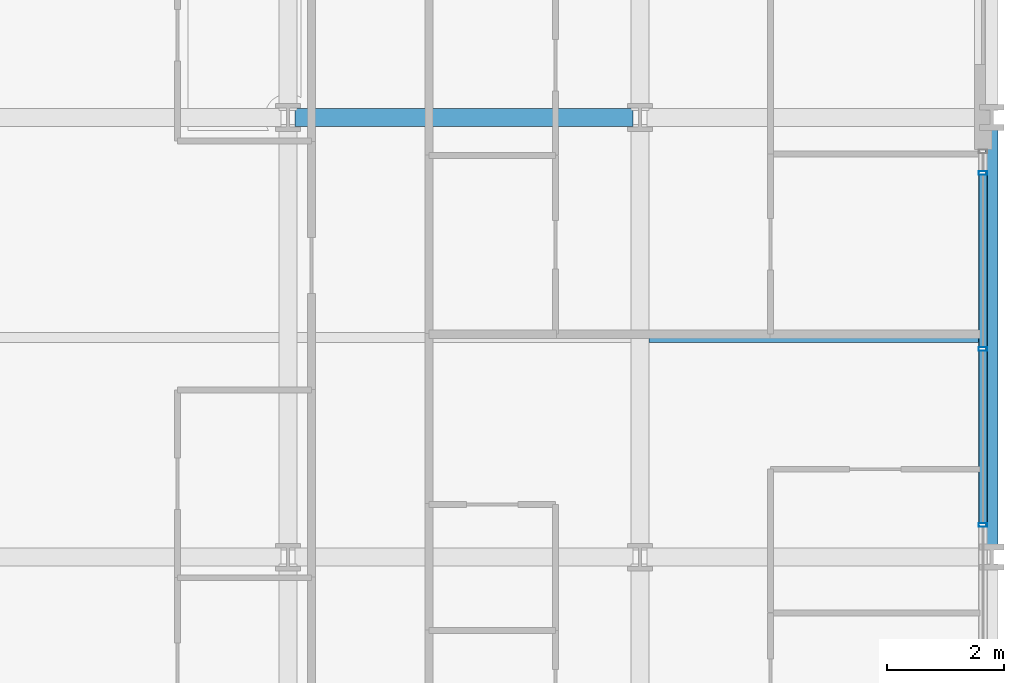
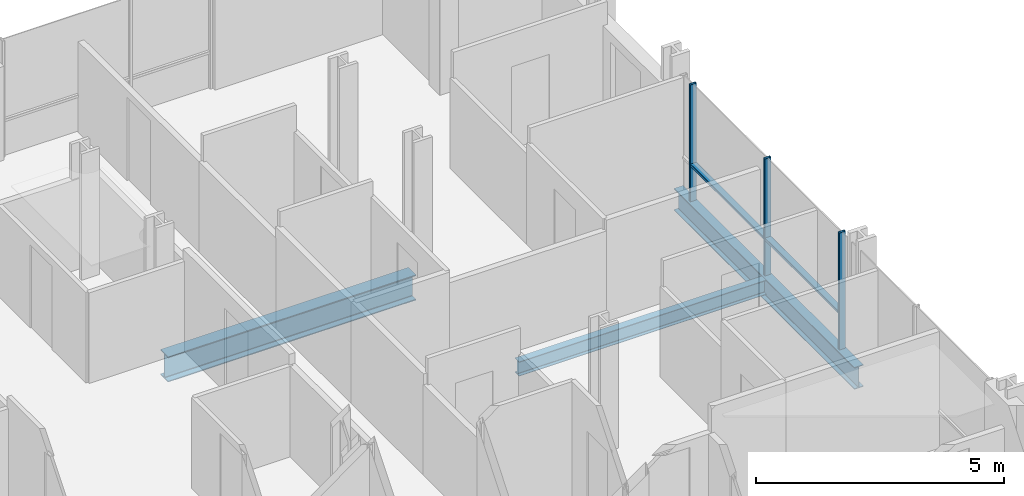
# One storey, part 19 of 41: 5 members, 3 beams, 1 element without a shape of its own.
"""IFC4 building model written with IfcOpenShell, lengths in metres."""

from ifc_helpers import new_model, si_unit, direction, frame, origin, origin_2d, place, context, subcontext, project, spatial, hollow_rectangle, i_section, extrude, material, layer, layer_set, material_profile, profile_set, type_object, element, aggregate, save


model = new_model("IFC4")

# Units and contexts
model_context = context("Model", 3, precision=1e-05, world=origin(), true_north=direction((0.0, 1.0)))
body_context = subcontext(model_context, "Body", "Model", "MODEL_VIEW")
ifc_project = project(units=[si_unit("LENGTHUNIT", "METRE"), si_unit("AREAUNIT", "SQUARE_METRE"), si_unit("VOLUMEUNIT", "CUBIC_METRE"), si_unit("PLANEANGLEUNIT", "RADIAN"), si_unit("MASSUNIT", "GRAM", prefix="KILO")], contexts=[model_context])

# Site, building, storey
site_placement = place(None, origin())
site = spatial("IfcSite", under=ifc_project, at=site_placement, CompositionType="ELEMENT")
building_placement = place(site_placement, origin())
building = spatial("IfcBuilding", under=site, at=building_placement, Name="Brevholm Reach", CompositionType="ELEMENT")
storey_placement = place(building_placement, frame((0.0, 0.0, 43.5)))
storey = spatial("IfcBuildingStorey", under=building, at=storey_placement, Name="L11", CompositionType="ELEMENT", Elevation=43.5)

# Beams
ifc_material_1 = material(Name="Structural Steel S355J2", Category="steel")
ifc_material_profile_1 = material_profile(ifc_material_1, i_section(OverallWidth=0.17138671875, OverallDepth=0.35498046875, WebThickness=0.00732421875, FlangeThickness=0.011474609375, FilletRadius=0.01025390625, at=origin_2d()), Name="UKB 356x171x51")
ifc_profile_set_1 = profile_set([ifc_material_profile_1], Name="Structural Steel S355J2")
beam_type_1 = type_object("IfcBeamType", Name="BM-B356", PredefinedType="BEAM", material=ifc_profile_set_1)
beam_1_placement = place(storey_placement, frame((54.153564453125, 19.75, -0.407470703125), z_axis=(1.0, 0.0, 0.0), x_axis=(0.0, 1.0, 0.0)))
element("IfcBeam", 1, at=beam_1_placement, inside=storey, type_object=beam_type_1, Name="L11 Composite Secondary Floor Beam", PredefinedType="BEAM", context=body_context, shape_type="SweptSolid", body=[
    extrude(i_section(OverallWidth=0.17138671875, OverallDepth=0.35498046875, WebThickness=0.00732421875, FlangeThickness=0.011474609375, FilletRadius=0.01025390625, at=origin_2d()), origin(), (0.0, 0.0, 1.0), 5.740966796875),
])
ifc_material_2 = material(Name="Structural Steel S355J2", Category="steel")
ifc_material_profile_2 = material_profile(ifc_material_2, i_section(OverallWidth=0.210693359375, OverallDepth=0.53955078125, WebThickness=0.01171875, FlangeThickness=0.018798828125, FilletRadius=0.0126953125, at=origin_2d()), Name="UKB 533x210x109")
ifc_profile_set_2 = profile_set([ifc_material_profile_2], Name="Structural Steel S355J2")
beam_type_2 = type_object("IfcBeamType", Name="BM-SP539", PredefinedType="SPANDREL", material=ifc_profile_set_2)
beam_2_placement = place(storey_placement, frame((60.0, 16.1201171875, -0.499755859375), z_axis=(0.0, 1.0, 0.0), x_axis=(-1.0, 0.0, 0.0)))
element("IfcBeam", 2, at=beam_2_placement, inside=storey, type_object=beam_type_2, Name="L11 SP-01B Framing Beam", PredefinedType="SPANDREL", context=body_context, shape_type="SweptSolid", body=[
    extrude(i_section(OverallWidth=0.210693359375, OverallDepth=0.53955078125, WebThickness=0.01171875, FlangeThickness=0.018798828125, FilletRadius=0.0126953125, at=origin_2d()), origin(), (0.0, 0.0, 1.0), 7.259765625),
])
ifc_material_3 = material(Name="Structural Steel S355J2", Category="steel")
ifc_material_profile_3 = material_profile(ifc_material_3, i_section(OverallWidth=0.30712890625, OverallDepth=0.6201171875, WebThickness=0.01416015625, FlangeThickness=0.023681640625, FilletRadius=0.0166015625, at=origin_2d()), Name="UKB 610x305x179")
ifc_profile_set_3 = profile_set([ifc_material_profile_3], Name="Structural Steel S355J2")
beam_type_3 = type_object("IfcBeamType", Name="BM-UKB610H", PredefinedType="USERDEFINED", material=ifc_profile_set_3)
beam_3_placement = place(storey_placement, frame((48.1201171875, 23.5, -0.5400390625), z_axis=(1.0, 0.0, 0.0), x_axis=(0.0, 1.0, 0.0)))
element("IfcBeam", 3, at=beam_3_placement, inside=storey, type_object=beam_type_3, Name="L11 G-06 Framing Beam", ObjectType="GIRDER", PredefinedType="USERDEFINED", context=body_context, shape_type="SweptSolid", body=[
    extrude(i_section(OverallWidth=0.30712890625, OverallDepth=0.6201171875, WebThickness=0.01416015625, FlangeThickness=0.023681640625, FilletRadius=0.0166015625, at=origin_2d()), origin(), (0.0, 0.0, 1.0), 5.759765625),
])

# Curtain wall, members
ifc_material_4 = material(Name="Dark Anodised Aluminium 6063-T6 and Solar-Control Glass", Category="aluminium")
ifc_layer = layer(ifc_material_4, 0.14990234375)
ifc_layer_set = layer_set([ifc_layer], Name="Dark Anodised Aluminium 6063-T6 and Solar-Control Glass")
curtain_wall_type = type_object("IfcCurtainWallType", Name="CW-01", PredefinedType="NOTDEFINED", material=ifc_layer_set)
curtain_wall_placement = place(storey_placement, origin())
curtain_wall = element("IfcCurtainWall", 4, at=curtain_wall_placement, inside=storey, type_object=curtain_wall_type, Name="L11 Curtain Wall CW-01", PredefinedType="NOTDEFINED")
ifc_material_5 = material(Name="Dark Anodised Aluminium 6063-T6", Category="aluminium")
ifc_material_profile_4 = material_profile(ifc_material_5, hollow_rectangle(XDim=0.06494140625, YDim=0.14990234375, WallThickness=0.0048828125, InnerFilletRadius=0.0048828125, OuterFilletRadius=0.010009765625, at=origin_2d()), Name="RHS 150x65x5")
ifc_profile_set_4 = profile_set([ifc_material_profile_4], Name="Dark Anodised Aluminium 6063-T6")
member_type_1 = type_object("IfcMemberType", Name="CWM-150", PredefinedType="MULLION", material=ifc_profile_set_4)
member_1_placement = place(storey_placement, frame((59.85009765625, 16.550048828125, 0.0), z_axis=(0.0, 0.0, 1.0), x_axis=(0.0, 1.0, 0.0)))
member_1 = element("IfcMember", 5, at=member_1_placement, type_object=member_type_1, Name="CM-150 Mullion 3", PredefinedType="MULLION", context=body_context, shape_type="SweptSolid", body=[
    extrude(hollow_rectangle(XDim=0.06494140625, YDim=0.14990234375, WallThickness=0.0048828125, InnerFilletRadius=0.0048828125, OuterFilletRadius=0.010009765625, at=origin_2d()), origin(), (0.0, 0.0, 1.0), 2.8701171875),
])
member_2_placement = place(storey_placement, frame((59.85009765625, 19.550048828125, 0.0), z_axis=(0.0, 0.0, 1.0), x_axis=(0.0, 1.0, 0.0)))
member_2 = element("IfcMember", 6, at=member_2_placement, type_object=member_type_1, Name="CM-150 Mullion 4", PredefinedType="MULLION", context=body_context, shape_type="SweptSolid", body=[
    extrude(hollow_rectangle(XDim=0.06494140625, YDim=0.14990234375, WallThickness=0.0048828125, InnerFilletRadius=0.0048828125, OuterFilletRadius=0.010009765625, at=origin_2d()), origin(), (0.0, 0.0, 1.0), 2.8701171875),
])
member_3_placement = place(storey_placement, frame((59.85009765625, 22.550048828125, 0.0), z_axis=(0.0, 0.0, 1.0), x_axis=(0.0, 1.0, 0.0)))
member_3 = element("IfcMember", 7, at=member_3_placement, type_object=member_type_1, Name="CM-150 Mullion 5", PredefinedType="MULLION", context=body_context, shape_type="SweptSolid", body=[
    extrude(hollow_rectangle(XDim=0.06494140625, YDim=0.14990234375, WallThickness=0.0048828125, InnerFilletRadius=0.0048828125, OuterFilletRadius=0.010009765625, at=origin_2d()), origin(), (0.0, 0.0, 1.0), 2.8701171875),
])
ifc_material_6 = material(Name="Dark Anodised Aluminium 6063-T6", Category="aluminium")
ifc_material_profile_5 = material_profile(ifc_material_6, hollow_rectangle(XDim=0.06494140625, YDim=0.14990234375, WallThickness=0.0048828125, InnerFilletRadius=0.0048828125, OuterFilletRadius=0.010009765625, at=origin_2d()), Name="RHS 150x65x5")
ifc_profile_set_5 = profile_set([ifc_material_profile_5], Name="Dark Anodised Aluminium 6063-T6")
member_type_2 = type_object("IfcMemberType", Name="CWT-150", PredefinedType="NOTDEFINED", material=ifc_profile_set_5)
member_4_placement = place(storey_placement, frame((59.85009765625, 16.58251953125, 0.89990234375), z_axis=(0.0, 1.0, 0.0), x_axis=(0.0, 0.0, 1.0)))
member_4 = element("IfcMember", 8, at=member_4_placement, type_object=member_type_2, Name="CT-150 Transom 3.1", ObjectType="TRANSOM", PredefinedType="USERDEFINED", context=body_context, shape_type="SweptSolid", body=[
    extrude(hollow_rectangle(XDim=0.06494140625, YDim=0.14990234375, WallThickness=0.0048828125, InnerFilletRadius=0.0048828125, OuterFilletRadius=0.010009765625, at=origin_2d()), origin(), (0.0, 0.0, 1.0), 2.93505859375),
])
member_5_placement = place(storey_placement, frame((59.85009765625, 19.58251953125, 0.89990234375), z_axis=(0.0, 1.0, 0.0), x_axis=(0.0, 0.0, 1.0)))
member_5 = element("IfcMember", 9, at=member_5_placement, type_object=member_type_2, Name="CT-150 Transom 4.1", ObjectType="TRANSOM", PredefinedType="USERDEFINED", context=body_context, shape_type="SweptSolid", body=[
    extrude(hollow_rectangle(XDim=0.06494140625, YDim=0.14990234375, WallThickness=0.0048828125, InnerFilletRadius=0.0048828125, OuterFilletRadius=0.010009765625, at=origin_2d()), origin(), (0.0, 0.0, 1.0), 2.93505859375),
])
aggregate(curtain_wall, [member_1, member_2, member_3, member_4, member_5])

save(model, "model.ifc")
